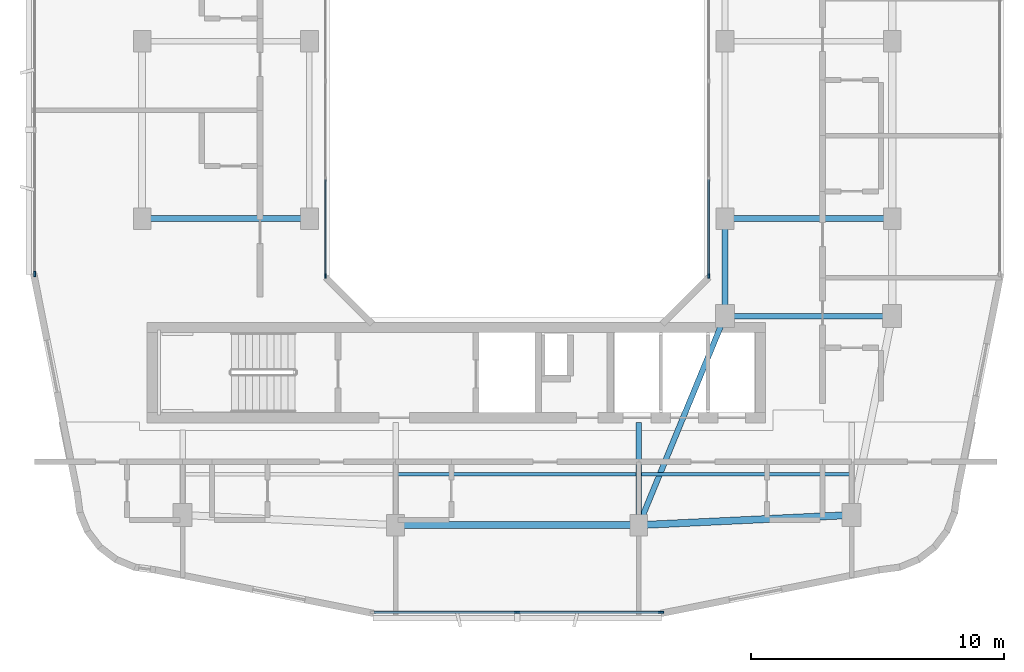
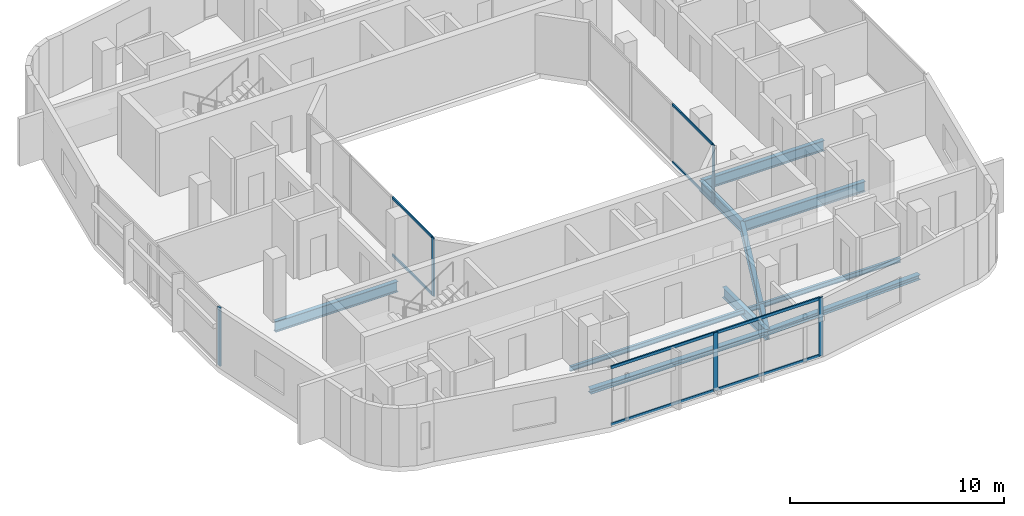
# One storey, part 2 of 14: 13 members, 10 beams, 4 elements without a shape of their own.
"""IFC4 building model written with IfcOpenShell, lengths in metres."""

from ifc_helpers import new_model, si_unit, derived_unit, direction, frame, origin, origin_2d, place, context, subcontext, project, spatial, rectangle, i_section, extrude, material, layer, layer_set, material_profile, profile_set, type_object, element, aggregate, save


model = new_model("IFC4")

# Units and contexts
model_context = context("Model", 3, precision=1e-05, world=origin(), true_north=direction((0.0, 1.0)))
body_context = subcontext(model_context, "Body", "Model", "MODEL_VIEW")
ifc_project = project(units=[si_unit("LENGTHUNIT", "METRE"), si_unit("AREAUNIT", "SQUARE_METRE"), si_unit("VOLUMEUNIT", "CUBIC_METRE"), si_unit("PLANEANGLEUNIT", "RADIAN"), si_unit("MASSUNIT", "GRAM", prefix="KILO"), derived_unit("THERMALTRANSMITTANCEUNIT", [(si_unit("POWERUNIT", "WATT"), 1), (si_unit("LENGTHUNIT", "METRE"), -2), (si_unit("THERMODYNAMICTEMPERATUREUNIT", "KELVIN"), -1)])], contexts=[model_context])

# Site, building, storey
site_placement = place(None, origin())
site = spatial("IfcSite", under=ifc_project, at=site_placement, CompositionType="ELEMENT")
building_placement = place(site_placement, origin())
building = spatial("IfcBuilding", under=site, at=building_placement, Name="Kivonza Crest Hotel", CompositionType="ELEMENT")
storey_placement = place(building_placement, frame((0.0, 0.0, 224.300048828125)))
storey = spatial("IfcBuildingStorey", under=building, at=storey_placement, Name="L61", CompositionType="ELEMENT", Elevation=224.300048828125)

# Beams
ifc_material_1 = material(Name="Steel S355", Category="steel")
ifc_material_profile_1 = material_profile(ifc_material_1, i_section(OverallWidth=0.280029296875, OverallDepth=0.280029296875, WebThickness=0.010498046875, FlangeThickness=0.01806640625, FilletRadius=0.02392578125, at=origin_2d()), Name="HEB 280")
ifc_profile_set_1 = profile_set([ifc_material_profile_1], Name="Steel S355")
beam_type_1 = type_object("IfcBeamType", Name="BM-HEB280", PredefinedType="SPANDREL", material=ifc_profile_set_1)
beam_1_placement = place(storey_placement, frame((16.199951171875, 9.39990234375, -0.420166015625), z_axis=(1.0, 0.0, 0.0), x_axis=(0.0, 1.0, 0.0)))
element("IfcBeam", 1, at=beam_1_placement, inside=storey, type_object=beam_type_1, Name="Tower T1 L61 perimeter spandrel S1-S2", PredefinedType="SPANDREL", context=body_context, shape_type="SweptSolid", body=[
    extrude(i_section(OverallWidth=0.280029296875, OverallDepth=0.280029296875, WebThickness=0.010498046875, FlangeThickness=0.01806640625, FilletRadius=0.02392578125, at=origin_2d()), origin(), (0.0, 0.0, 1.0), 9.60009765625),
])
beam_2_placement = place(storey_placement, frame((25.800048828125, 9.39990234375, -0.420166015625), z_axis=(0.998867283688, 0.047583080799, 0.0), x_axis=(-0.047583080799, 0.998867283688, 0.0)))
element("IfcBeam", 2, at=beam_2_placement, inside=storey, type_object=beam_type_1, Name="Tower T1 L61 perimeter spandrel S2-SE", PredefinedType="SPANDREL", context=body_context, shape_type="SweptSolid", body=[
    extrude(i_section(OverallWidth=0.280029296875, OverallDepth=0.280029296875, WebThickness=0.010498046875, FlangeThickness=0.01806640625, FilletRadius=0.02392578125, at=origin_2d()), origin(), (0.0, 0.0, 1.0), 8.409423828125),
])
ifc_material_profile_2 = material_profile(ifc_material_1, i_section(OverallWidth=0.135009765625, OverallDepth=0.27001953125, WebThickness=0.006591796875, FlangeThickness=0.01025390625, FilletRadius=0.014892578125, at=origin_2d()), Name="IPE 270")
ifc_profile_set_2 = profile_set([ifc_material_profile_2], Name="Steel S355")
beam_type_2 = type_object("IfcBeamType", Name="BM-IPE270", PredefinedType="JOIST", material=ifc_profile_set_2)
beam_3_placement = place(storey_placement, frame((16.280029296875, 11.39990234375, -0.4150390625), z_axis=(1.0, 0.0, 0.0), x_axis=(0.0, 1.0, 0.0)))
element("IfcBeam", 3, at=beam_3_placement, inside=storey, type_object=beam_type_2, Name="Tower T1 L61 South-Mid floor joist", PredefinedType="JOIST", context=body_context, shape_type="SweptSolid", body=[
    extrude(i_section(OverallWidth=0.135009765625, OverallDepth=0.27001953125, WebThickness=0.006591796875, FlangeThickness=0.01025390625, FilletRadius=0.014892578125, at=origin_2d()), origin(), (0.0, 0.0, 1.0), 9.43994140625),
])
beam_4_placement = place(storey_placement, frame((25.8798828125, 11.39990234375, -0.4150390625), z_axis=(1.0, 0.0, 0.0), x_axis=(0.0, 1.0, 0.0)))
element("IfcBeam", 4, at=beam_4_placement, inside=storey, type_object=beam_type_2, Name="Tower T1 L61 South-East floor joist", PredefinedType="JOIST", context=body_context, shape_type="SweptSolid", body=[
    extrude(i_section(OverallWidth=0.135009765625, OverallDepth=0.27001953125, WebThickness=0.006591796875, FlangeThickness=0.01025390625, FilletRadius=0.014892578125, at=origin_2d()), origin(), (0.0, 0.0, 1.0), 8.240234375),
])
ifc_material_profile_3 = material_profile(ifc_material_1, i_section(OverallWidth=0.219970703125, OverallDepth=0.60009765625, WebThickness=0.011962890625, FlangeThickness=0.01904296875, FilletRadius=0.02392578125, at=origin_2d()), Name="IPE 600")
ifc_profile_set_3 = profile_set([ifc_material_profile_3], Name="Steel S355")
beam_type_3 = type_object("IfcBeamType", Name="BM-IPE600", PredefinedType="BEAM", material=ifc_profile_set_3)
beam_5_placement = place(storey_placement, frame((6.199951171875, 21.5, -0.580078125), z_axis=(1.0, 0.0, 0.0), x_axis=(0.0, 1.0, 0.0)))
element("IfcBeam", 5, at=beam_5_placement, inside=storey, type_object=beam_type_3, Name="Tower T1 L61 primary girder W1-WL1", PredefinedType="BEAM", context=body_context, shape_type="SweptSolid", body=[
    extrude(i_section(OverallWidth=0.219970703125, OverallDepth=0.60009765625, WebThickness=0.011962890625, FlangeThickness=0.01904296875, FilletRadius=0.02392578125, at=origin_2d()), origin(), (0.0, 0.0, 1.0), 6.60009765625),
])
beam_6_placement = place(storey_placement, frame((25.800048828125, 9.39990234375, -0.580078125), z_axis=(0.381022260404, 0.924565864109, 0.0), x_axis=(-0.924565864109, 0.381022260404, 0.0)))
element("IfcBeam", 6, at=beam_6_placement, inside=storey, type_object=beam_type_3, Name="Tower T1 L61 primary girder S1-TSE", PredefinedType="BEAM", context=body_context, shape_type="SweptSolid", body=[
    extrude(i_section(OverallWidth=0.219970703125, OverallDepth=0.60009765625, WebThickness=0.011962890625, FlangeThickness=0.01904296875, FilletRadius=0.02392578125, at=origin_2d()), origin(), (0.0, 0.0, 1.0), 8.923095703125),
])
beam_7_placement = place(storey_placement, frame((29.199951171875, 17.64990234375, -0.580078125), z_axis=(1.0, 0.0, 0.0), x_axis=(0.0, 1.0, 0.0)))
element("IfcBeam", 7, at=beam_7_placement, inside=storey, type_object=beam_type_3, Name="Tower T1 L61 primary girder TSE-PSE", PredefinedType="BEAM", context=body_context, shape_type="SweptSolid", body=[
    extrude(i_section(OverallWidth=0.219970703125, OverallDepth=0.60009765625, WebThickness=0.011962890625, FlangeThickness=0.01904296875, FilletRadius=0.02392578125, at=origin_2d()), origin(), (0.0, 0.0, 1.0), 6.60009765625),
])
beam_8_placement = place(storey_placement, frame((29.199951171875, 17.64990234375, -0.580078125), z_axis=(0.0, 1.0, 0.0), x_axis=(-1.0, 0.0, 0.0)))
element("IfcBeam", 8, at=beam_8_placement, inside=storey, type_object=beam_type_3, Name="Tower T1 L61 primary girder TSE-WR1", PredefinedType="BEAM", context=body_context, shape_type="SweptSolid", body=[
    extrude(i_section(OverallWidth=0.219970703125, OverallDepth=0.60009765625, WebThickness=0.011962890625, FlangeThickness=0.01904296875, FilletRadius=0.02392578125, at=origin_2d()), origin(), (0.0, 0.0, 1.0), 3.85009765625),
])
beam_9_placement = place(storey_placement, frame((29.199951171875, 21.5, -0.580078125), z_axis=(1.0, 0.0, 0.0), x_axis=(0.0, 1.0, 0.0)))
element("IfcBeam", 9, at=beam_9_placement, inside=storey, type_object=beam_type_3, Name="Tower T1 L61 primary girder WR1-E1", PredefinedType="BEAM", context=body_context, shape_type="SweptSolid", body=[
    extrude(i_section(OverallWidth=0.219970703125, OverallDepth=0.60009765625, WebThickness=0.011962890625, FlangeThickness=0.01904296875, FilletRadius=0.02392578125, at=origin_2d()), origin(), (0.0, 0.0, 1.0), 6.60009765625),
])
beam_10_placement = place(storey_placement, frame((25.800048828125, 9.39990234375, -0.580078125), z_axis=(0.0, 1.0, 0.0), x_axis=(-1.0, 0.0, 0.0)))
element("IfcBeam", 10, at=beam_10_placement, inside=storey, type_object=beam_type_3, Name="Tower T1 L61 radial core girder RS2", PredefinedType="BEAM", context=body_context, shape_type="SweptSolid", body=[
    extrude(i_section(OverallWidth=0.219970703125, OverallDepth=0.60009765625, WebThickness=0.011962890625, FlangeThickness=0.01904296875, FilletRadius=0.02392578125, at=origin_2d()), origin(), (0.0, 0.0, 1.0), 4.050048828125),
])

# Curtain wall, member
ifc_material_2 = material(Name="Anodised bronze aluminium and low-E double glazing", Category="aluminium")
ifc_layer_1 = layer(ifc_material_2, 0.159912109375)
ifc_layer_set_1 = layer_set([ifc_layer_1], Name="Anodised bronze aluminium and low-E double glazing")
curtain_wall_type_1 = type_object("IfcCurtainWallType", Name="CW-SYS-5", PredefinedType="NOTDEFINED", material=ifc_layer_set_1)
curtain_wall_1_placement = place(storey_placement, origin())
curtain_wall_1 = element("IfcCurtainWall", 11, at=curtain_wall_1_placement, inside=storey, type_object=curtain_wall_type_1, Name="L61 unitised curtain wall CW-WELL-T1-L61-3", PredefinedType="NOTDEFINED")
ifc_material_3 = material(Name="Anodised bronze aluminium", Category="aluminium")
ifc_material_profile_4 = material_profile(ifc_material_3, rectangle(XDim=0.06494140625, YDim=0.179931640625, at=origin_2d()), Name="CW-M 65x180")
ifc_profile_set_4 = profile_set([ifc_material_profile_4], Name="Anodised bronze aluminium")
member_type_1 = type_object("IfcMemberType", Name="CW-MUL-65x180", PredefinedType="MULLION", material=ifc_profile_set_4)
member_1_placement = place(storey_placement, frame((28.56005859375, 19.232421875, 0.0), z_axis=(0.0, 0.0, 1.0), x_axis=(-1.0, 0.0, 0.0)))
member_1 = element("IfcMember", 12, at=member_1_placement, type_object=member_type_1, Name="CW-5 mullion 1", PredefinedType="MULLION", context=body_context, shape_type="SweptSolid", body=[
    extrude(rectangle(XDim=0.06494140625, YDim=0.179931640625, at=origin_2d()), origin(), (0.0, 0.0, 1.0), 3.320068359375),
])

curtain_wall_2_placement = place(storey_placement, origin())
curtain_wall_2 = element("IfcCurtainWall", 13, at=curtain_wall_2_placement, inside=storey, type_object=curtain_wall_type_1, Name="L61 unitised curtain wall CW-WELL-T1-L61-7", PredefinedType="NOTDEFINED")
member_2_placement = place(storey_placement, frame((13.43994140625, 19.232421875, 0.0), z_axis=(0.0, 0.0, 1.0), x_axis=(1.0, 0.0, 0.0)))
member_2 = element("IfcMember", 14, at=member_2_placement, type_object=member_type_1, Name="CW-5 mullion 4", PredefinedType="MULLION", context=body_context, shape_type="SweptSolid", body=[
    extrude(rectangle(XDim=0.06494140625, YDim=0.179931640625, at=origin_2d()), origin(), (0.0, 0.0, 1.0), 3.320068359375),
])

# Curtain wall, members
ifc_layer_2 = layer(ifc_material_2, 0.179931640625)
ifc_layer_set_2 = layer_set([ifc_layer_2], Name="Anodised bronze aluminium and low-E double glazing")
curtain_wall_type_2 = type_object("IfcCurtainWallType", Name="CW-SYS-3", PredefinedType="NOTDEFINED", material=ifc_layer_set_2)
curtain_wall_3_placement = place(storey_placement, origin())
curtain_wall_3 = element("IfcCurtainWall", 15, at=curtain_wall_3_placement, inside=storey, type_object=curtain_wall_type_2, Name="L61 unitised curtain wall CW-T1-L61-08", PredefinedType="NOTDEFINED")
ifc_material_profile_5 = material_profile(ifc_material_3, rectangle(XDim=0.074951171875, YDim=0.219970703125, at=origin_2d()), Name="CW-M 75x220")
ifc_profile_set_5 = profile_set([ifc_material_profile_5], Name="Anodised bronze aluminium")
member_type_2 = type_object("IfcMemberType", Name="CW-MUL-75x220", PredefinedType="MULLION", material=ifc_profile_set_5)
member_3_placement = place(storey_placement, frame((21.0, 5.9599609375, 0.0), z_axis=(0.0, 0.0, 1.0), x_axis=(0.0, 1.0, 0.0)))
member_3 = element("IfcMember", 16, at=member_3_placement, type_object=member_type_2, Name="CW-3 mullion 2", PredefinedType="MULLION", context=body_context, shape_type="SweptSolid", body=[
    extrude(rectangle(XDim=0.074951171875, YDim=0.219970703125, at=origin_2d()), origin(), (0.0, 0.0, 1.0), 3.320068359375),
])
member_4_placement = place(storey_placement, frame((26.6826171875, 5.9599609375, 0.0), z_axis=(0.0, 0.0, 1.0), x_axis=(0.0, 1.0, 0.0)))
member_4 = element("IfcMember", 17, at=member_4_placement, type_object=member_type_2, Name="CW-3 mullion 3", PredefinedType="MULLION", context=body_context, shape_type="SweptSolid", body=[
    extrude(rectangle(XDim=0.074951171875, YDim=0.219970703125, at=origin_2d()), origin(), (0.0, 0.0, 1.0), 3.320068359375),
])

# Curtain wall, member
curtain_wall_4_placement = place(storey_placement, origin())
curtain_wall_4 = element("IfcCurtainWall", 18, at=curtain_wall_4_placement, inside=storey, type_object=curtain_wall_type_2, Name="L61 unitised curtain wall CW-T1-L61-35", PredefinedType="NOTDEFINED")
member_5_placement = place(storey_placement, frame((1.9599609375, 19.3173828125, 0.0), z_axis=(0.0, 0.0, 1.0), x_axis=(1.0, 0.0, 0.0)))
member_5 = element("IfcMember", 19, at=member_5_placement, type_object=member_type_2, Name="CW-3 mullion 3", PredefinedType="MULLION", context=body_context, shape_type="SweptSolid", body=[
    extrude(rectangle(XDim=0.074951171875, YDim=0.219970703125, at=origin_2d()), origin(), (0.0, 0.0, 1.0), 3.320068359375),
])
aggregate(curtain_wall_4, [member_5])

# Member
ifc_material_profile_6 = material_profile(ifc_material_3, rectangle(XDim=0.06494140625, YDim=0.139892578125, at=origin_2d()), Name="CW-T 65x140")
ifc_profile_set_6 = profile_set([ifc_material_profile_6], Name="Anodised bronze aluminium")
member_type_3 = type_object("IfcMemberType", Name="CW-TRN-65x140", PredefinedType="USERDEFINED", material=ifc_profile_set_6)
member_6_placement = place(storey_placement, frame((28.56005859375, 19.264892578125, 0.032470703125), z_axis=(0.0, 1.0, 0.0), x_axis=(-1.0, 0.0, 0.0)))
member_6 = element("IfcMember", 20, at=member_6_placement, type_object=member_type_3, Name="CW-5 transom 1.1", ObjectType="TRANSOM", PredefinedType="USERDEFINED", context=body_context, shape_type="SweptSolid", body=[
    extrude(rectangle(XDim=0.06494140625, YDim=0.139892578125, at=origin_2d()), origin(), (0.0, 0.0, 1.0), 3.769287109375),
])

member_7_placement = place(storey_placement, frame((28.56005859375, 19.264892578125, 3.287353515625), z_axis=(0.0, 1.0, 0.0), x_axis=(-1.0, 0.0, 0.0)))
member_7 = element("IfcMember", 21, at=member_7_placement, type_object=member_type_3, Name="CW-5 transom 1.2", ObjectType="TRANSOM", PredefinedType="USERDEFINED", context=body_context, shape_type="SweptSolid", body=[
    extrude(rectangle(XDim=0.06494140625, YDim=0.139892578125, at=origin_2d()), origin(), (0.0, 0.0, 1.0), 3.769287109375),
])

aggregate(curtain_wall_1, [member_1, member_6, member_7])

member_8_placement = place(storey_placement, frame((13.43994140625, 23.0341796875, 0.032470703125), z_axis=(0.0, -1.0, 0.0), x_axis=(1.0, 0.0, 0.0)))
member_8 = element("IfcMember", 22, at=member_8_placement, type_object=member_type_3, Name="CW-5 transom 3.1", ObjectType="TRANSOM", PredefinedType="USERDEFINED", context=body_context, shape_type="SweptSolid", body=[
    extrude(rectangle(XDim=0.06494140625, YDim=0.139892578125, at=origin_2d()), origin(), (0.0, 0.0, 1.0), 3.769287109375),
])

member_9_placement = place(storey_placement, frame((13.43994140625, 23.0341796875, 3.287353515625), z_axis=(0.0, -1.0, 0.0), x_axis=(1.0, 0.0, 0.0)))
member_9 = element("IfcMember", 23, at=member_9_placement, type_object=member_type_3, Name="CW-5 transom 3.2", ObjectType="TRANSOM", PredefinedType="USERDEFINED", context=body_context, shape_type="SweptSolid", body=[
    extrude(rectangle(XDim=0.06494140625, YDim=0.139892578125, at=origin_2d()), origin(), (0.0, 0.0, 1.0), 3.769287109375),
])

aggregate(curtain_wall_2, [member_2, member_8, member_9])

ifc_material_profile_7 = material_profile(ifc_material_3, rectangle(XDim=0.074951171875, YDim=0.159912109375, at=origin_2d()), Name="CW-T 75x160")
ifc_profile_set_7 = profile_set([ifc_material_profile_7], Name="Anodised bronze aluminium")
member_type_4 = type_object("IfcMemberType", Name="CW-TRN-75x160", PredefinedType="USERDEFINED", material=ifc_profile_set_7)
member_10_placement = place(storey_placement, frame((15.35498046875, 5.9599609375, 0.037353515625), z_axis=(1.0, 0.0, 0.0), x_axis=(0.0, 1.0, 0.0)))
member_10 = element("IfcMember", 24, at=member_10_placement, type_object=member_type_4, Name="CW-3 transom 1.1", ObjectType="TRANSOM", PredefinedType="USERDEFINED", context=body_context, shape_type="SweptSolid", body=[
    extrude(rectangle(XDim=0.074951171875, YDim=0.159912109375, at=origin_2d()), origin(), (0.0, 0.0, 1.0), 5.607421875),
])

member_11_placement = place(storey_placement, frame((15.35498046875, 5.9599609375, 3.282470703125), z_axis=(1.0, 0.0, 0.0), x_axis=(0.0, 1.0, 0.0)))
member_11 = element("IfcMember", 25, at=member_11_placement, type_object=member_type_4, Name="CW-3 transom 1.2", ObjectType="TRANSOM", PredefinedType="USERDEFINED", context=body_context, shape_type="SweptSolid", body=[
    extrude(rectangle(XDim=0.074951171875, YDim=0.159912109375, at=origin_2d()), origin(), (0.0, 0.0, 1.0), 5.607421875),
])

member_12_placement = place(storey_placement, frame((21.03759765625, 5.9599609375, 0.037353515625), z_axis=(1.0, 0.0, 0.0), x_axis=(0.0, 1.0, 0.0)))
member_12 = element("IfcMember", 26, at=member_12_placement, type_object=member_type_4, Name="CW-3 transom 2.1", ObjectType="TRANSOM", PredefinedType="USERDEFINED", context=body_context, shape_type="SweptSolid", body=[
    extrude(rectangle(XDim=0.074951171875, YDim=0.159912109375, at=origin_2d()), origin(), (0.0, 0.0, 1.0), 5.607421875),
])

member_13_placement = place(storey_placement, frame((21.03759765625, 5.9599609375, 3.282470703125), z_axis=(1.0, 0.0, 0.0), x_axis=(0.0, 1.0, 0.0)))
member_13 = element("IfcMember", 27, at=member_13_placement, type_object=member_type_4, Name="CW-3 transom 2.2", ObjectType="TRANSOM", PredefinedType="USERDEFINED", context=body_context, shape_type="SweptSolid", body=[
    extrude(rectangle(XDim=0.074951171875, YDim=0.159912109375, at=origin_2d()), origin(), (0.0, 0.0, 1.0), 5.607421875),
])

aggregate(curtain_wall_3, [member_3, member_4, member_10, member_11, member_12, member_13])

save(model, "model.ifc")
